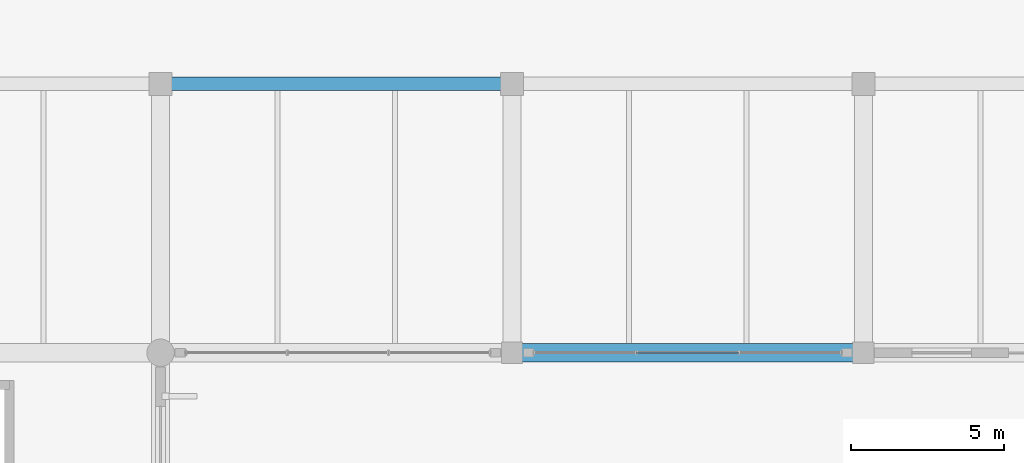
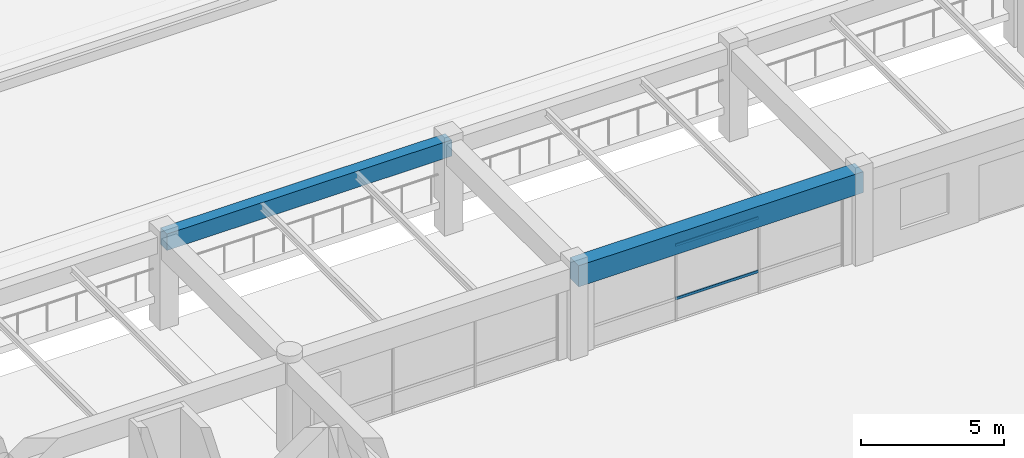
# One storey, part 57 of 109: 2 beams, 2 members, 1 element without a shape of its own.
"""IFC4 building model written with IfcOpenShell, lengths in metres."""

from ifc_helpers import new_model, si_unit, direction, frame, origin, origin_2d, place, context, subcontext, project, spatial, rectangle, hollow_rectangle, extrude, material, material_profile, profile_set, type_object, element, aggregate, save


model = new_model("IFC4")

# Units and contexts
model_context = context("Model", 3, precision=1e-05, world=origin(), true_north=direction((0.0, 1.0)))
body_context = subcontext(model_context, "Body", "Model", "MODEL_VIEW")
ifc_project = project(units=[si_unit("LENGTHUNIT", "METRE"), si_unit("AREAUNIT", "SQUARE_METRE"), si_unit("VOLUMEUNIT", "CUBIC_METRE"), si_unit("PLANEANGLEUNIT", "RADIAN"), si_unit("MASSUNIT", "GRAM", prefix="KILO")], contexts=[model_context])

# Site, building, storey
site_placement = place(None, origin())
site = spatial("IfcSite", under=ifc_project, at=site_placement, CompositionType="ELEMENT")
building_placement = place(site_placement, origin())
building = spatial("IfcBuilding", under=site, at=building_placement, Name="Ologun Quay Terminus", CompositionType="ELEMENT")
storey_placement = place(building_placement, origin())
storey = spatial("IfcBuildingStorey", under=building, at=storey_placement, Name="L00", CompositionType="ELEMENT", Elevation=0.0)

# Curtain wall, members
ifc_material_1 = material(Name="Aluminium 6063-T6", Category="aluminium")
curtain_wall_type = type_object("IfcCurtainWallType", Name="Forecourt Arcade Curtain Wall 10700x3750", PredefinedType="USERDEFINED", material=ifc_material_1)
curtain_wall_placement = place(storey_placement, origin())
curtain_wall = element("IfcCurtainWall", 1, at=curtain_wall_placement, inside=storey, type_object=curtain_wall_type, Name="CW-03 Curtain Wall CW-L00-008", ObjectType="UNITISED CURTAIN WALL", PredefinedType="USERDEFINED")
ifc_material_2 = material(Name="Aluminium 6063-T6", Category="aluminium")
ifc_material_profile_1 = material_profile(ifc_material_2, hollow_rectangle(XDim=0.054931640625, YDim=0.110107421875, WallThickness=0.00390625, at=origin_2d()), Name="ALU 110x55x4")
ifc_profile_set_1 = profile_set([ifc_material_profile_1], Name="Aluminium 6063-T6")
member_type = type_object("IfcMemberType", Name="Curtain Wall Standard Transom 110x55", PredefinedType="USERDEFINED", material=ifc_profile_set_1)
member_1_placement = place(storey_placement, frame((142.0732421875, 27.199951171875, 0.89990234375), z_axis=(1.0, 0.0, 0.0), x_axis=(0.0, 1.0, 0.0)))
member_1 = element("IfcMember", 2, at=member_1_placement, type_object=member_type, Name="CW-L00-008 Transom B2-1", ObjectType="TRANSOM", PredefinedType="USERDEFINED", context=body_context, shape_type="SweptSolid", body=[
    extrude(hollow_rectangle(XDim=0.054931640625, YDim=0.110107421875, WallThickness=0.00390625, at=origin_2d()), origin(), (0.0, 0.0, 1.0), 3.353515625),
])
member_2_placement = place(storey_placement, frame((142.0732421875, 27.199951171875, 3.179931640625), z_axis=(1.0, 0.0, 0.0), x_axis=(0.0, 1.0, 0.0)))
member_2 = element("IfcMember", 3, at=member_2_placement, type_object=member_type, Name="CW-L00-008 Transom B2-2", ObjectType="TRANSOM", PredefinedType="USERDEFINED", context=body_context, shape_type="SweptSolid", body=[
    extrude(hollow_rectangle(XDim=0.054931640625, YDim=0.110107421875, WallThickness=0.00390625, at=origin_2d()), origin(), (0.0, 0.0, 1.0), 3.353515625),
])
aggregate(curtain_wall, [member_1, member_2])

# Beams
ifc_material_3 = material(Name="Concrete C40/50", Category="concrete")
ifc_material_profile_2 = material_profile(ifc_material_3, rectangle(XDim=0.449951171875, YDim=0.699951171875, at=origin_2d()), Name="RC 450x700")
ifc_profile_set_2 = profile_set([ifc_material_profile_2], Name="Concrete C40/50")
beam_type_1 = type_object("IfcBeamType", Name="Perimeter Spandrel Beam 450x700", PredefinedType="SPANDREL", material=ifc_profile_set_2)
beam_1_placement = place(storey_placement, frame((126.5, 36.0, 3.550048828125), z_axis=(1.0, 0.0, 0.0), x_axis=(0.0, 1.0, 0.0)))
element("IfcBeam", 4, at=beam_1_placement, inside=storey, type_object=beam_type_1, Name="SP1 Beam 12/E L00", PredefinedType="SPANDREL", context=body_context, shape_type="SweptSolid", body=[
    extrude(rectangle(XDim=0.449951171875, YDim=0.699951171875, at=origin_2d()), origin(), (0.0, 0.0, 1.0), 11.5),
])
ifc_material_4 = material(Name="Concrete C40/50", Category="concrete")
ifc_material_profile_3 = material_profile(ifc_material_4, rectangle(XDim=0.60009765625, YDim=0.89990234375, at=origin_2d()), Name="RC 600x900")
ifc_profile_set_3 = profile_set([ifc_material_profile_3], Name="Concrete C40/50")
beam_type_2 = type_object("IfcBeamType", Name="Station Frame Girder 600x900", PredefinedType="BEAM", material=ifc_profile_set_3)
beam_2_placement = place(storey_placement, frame((138.0, 27.199951171875, 3.449951171875), z_axis=(1.0, 0.0, 0.0), x_axis=(0.0, 1.0, 0.0)))
element("IfcBeam", 5, at=beam_2_placement, inside=storey, type_object=beam_type_2, Name="B3 Beam 13/D L00", PredefinedType="BEAM", context=body_context, shape_type="SweptSolid", body=[
    extrude(rectangle(XDim=0.60009765625, YDim=0.89990234375, at=origin_2d()), origin(), (0.0, 0.0, 1.0), 11.5),
])

save(model, "model.ifc")
